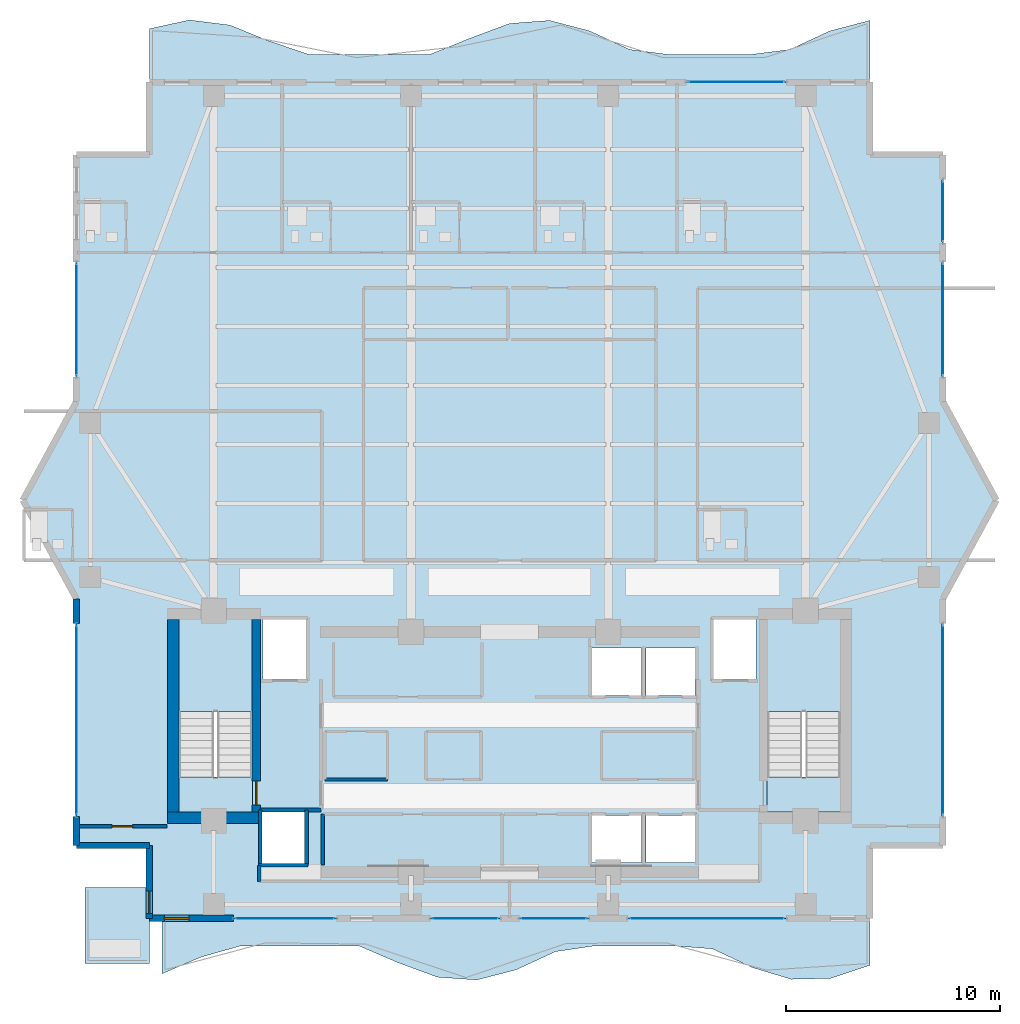
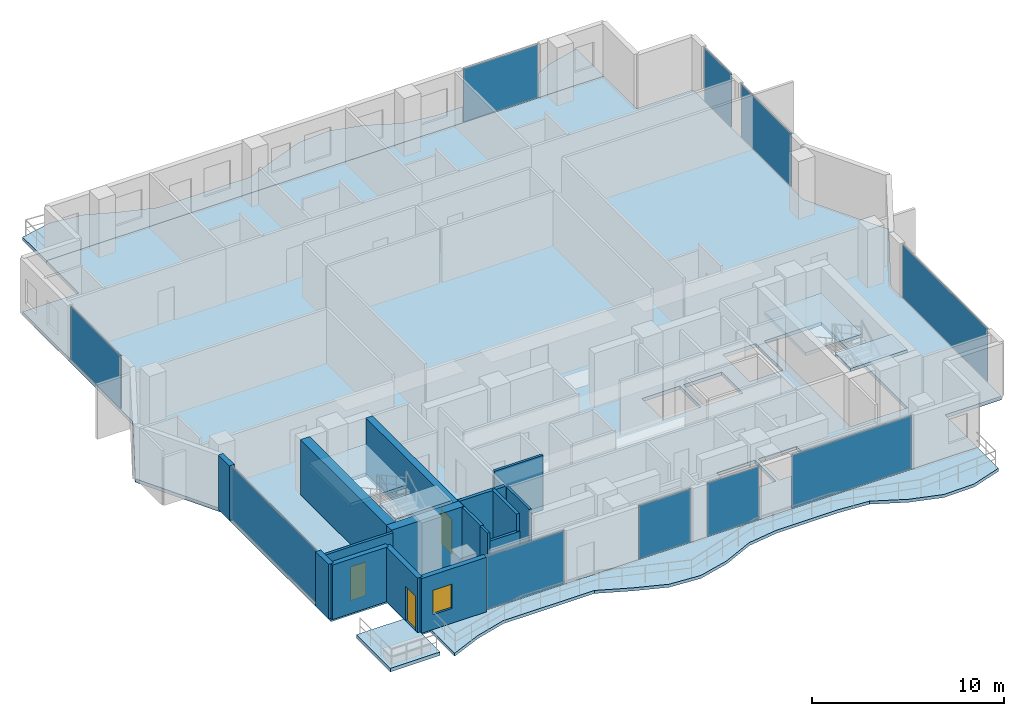
# One storey, part 17 of 25: 16 walls, 10 plates, 8 slabs, 3 doors, 1 window, 4 openings, 12 elements without a shape of their own.
"""IFC4 building model written with IfcOpenShell, lengths in metres."""

from ifc_helpers import new_model, si_unit, direction, frame, frame_2d, origin, origin_2d, place, context, subcontext, project, spatial, polyline, rectangle, outline, extrude, material, layer, layer_set, type_object, element, fill, aggregate, save


model = new_model("IFC4")

# Units and contexts
model_context = context("Model", 3, precision=1e-05, world=origin(), true_north=direction((0.0, 1.0)))
body_context = subcontext(model_context, "Body", "Model", "MODEL_VIEW")
ifc_project = project(units=[si_unit("LENGTHUNIT", "METRE"), si_unit("AREAUNIT", "SQUARE_METRE"), si_unit("VOLUMEUNIT", "CUBIC_METRE"), si_unit("PLANEANGLEUNIT", "RADIAN"), si_unit("MASSUNIT", "GRAM", prefix="KILO")], contexts=[model_context])

# Site, building, storey
site_placement = place(None, origin())
site = spatial("IfcSite", under=ifc_project, at=site_placement, CompositionType="ELEMENT")
building_placement = place(site_placement, origin())
building = spatial("IfcBuilding", under=site, at=building_placement, Name="Zuhayl Quay Hotel", CompositionType="ELEMENT")
storey_placement = place(building_placement, frame((0.0, 0.0, 243.35009765625)))
storey = spatial("IfcBuildingStorey", under=building, at=storey_placement, Name="L61", CompositionType="ELEMENT", Elevation=243.35009765625)

# Curtain wall, plate
ifc_material_1 = material(Name="Anodised Aluminium 6063-T6", Category="aluminium")
ifc_layer_1 = layer(ifc_material_1, 0.169921875, Name="Anodised Aluminium 6063-T6", Category="aluminium")
ifc_layer_set_1 = layer_set([ifc_layer_1], Name="Anodised Aluminium 6063-T6")
curtain_wall_type = type_object("IfcCurtainWallType", Name="CW_SYS_Z4", PredefinedType="USERDEFINED", material=ifc_layer_set_1)
curtain_wall_1_placement = place(storey_placement, origin())
curtain_wall_1 = element("IfcCurtainWall", 1, at=curtain_wall_1_placement, inside=storey, type_object=curtain_wall_type, Name="L61 Curtain Wall ENV_L61_E02_CW1", ObjectType="UNITISED CURTAIN WALL", PredefinedType="USERDEFINED")
ifc_material_2 = material(Name="Dark Ceramic-Fritted Solar Glass", Category="glass")
ifc_layer_2 = layer(ifc_material_2, 0.035888671875, Name="Dark Ceramic-Fritted Solar Glass", Category="glass")
ifc_layer_set_2 = layer_set([ifc_layer_2], Name="Dark Ceramic-Fritted Solar Glass")
plate_type = type_object("IfcPlateType", Name="PN_DARK_FRIT_Z1", PredefinedType="CURTAIN_PANEL", material=ifc_layer_set_2)
plate_1_placement = place(storey_placement, frame((-20.199951171875, 9.25, 0.054931640625), z_axis=(0.0, 0.0, 1.0), x_axis=(0.0, 1.0, 0.0)))
plate_1 = element("IfcPlate", 2, at=plate_1_placement, type_object=plate_type, Name="CW-Z4 panel 1.1", PredefinedType="CURTAIN_PANEL", context=body_context, shape_type="SweptSolid", body=[
    extrude(rectangle(XDim=8.8701171875, YDim=0.035888671875, at=origin_2d()), origin(), (0.0, 0.0, 1.0), 3.3701171875),
])
aggregate(curtain_wall_1, [plate_1])

curtain_wall_2_placement = place(storey_placement, origin())
curtain_wall_2 = element("IfcCurtainWall", 3, at=curtain_wall_2_placement, inside=storey, type_object=curtain_wall_type, Name="L61 Curtain Wall ENV_L61_E05_CW1", ObjectType="UNITISED CURTAIN WALL", PredefinedType="USERDEFINED")
plate_2_placement = place(storey_placement, frame((-20.199951171875, 27.925048828125, 0.054931640625), z_axis=(0.0, 0.0, 1.0), x_axis=(0.0, 1.0, 0.0)))
plate_2 = element("IfcPlate", 4, at=plate_2_placement, type_object=plate_type, Name="CW-Z4 panel 1.1", PredefinedType="CURTAIN_PANEL", context=body_context, shape_type="SweptSolid", body=[
    extrude(rectangle(XDim=5.219970703125, YDim=0.035888671875, at=origin_2d()), origin(), (0.0, 0.0, 1.0), 3.3701171875),
])
aggregate(curtain_wall_2, [plate_2])

curtain_wall_3_placement = place(storey_placement, origin())
curtain_wall_3 = element("IfcCurtainWall", 5, at=curtain_wall_3_placement, inside=storey, type_object=curtain_wall_type, Name="L61 Curtain Wall ENV_L61_N_CW1", ObjectType="UNITISED CURTAIN WALL", PredefinedType="USERDEFINED")
plate_3_placement = place(storey_placement, frame((10.56494140625, 39.0, 0.054931640625), z_axis=(0.0, 0.0, 1.0), x_axis=(1.0, 0.0, 0.0)))
plate_3 = element("IfcPlate", 6, at=plate_3_placement, type_object=plate_type, Name="CW-Z4 panel 1.1", PredefinedType="CURTAIN_PANEL", context=body_context, shape_type="SweptSolid", body=[
    extrude(rectangle(XDim=4.5, YDim=0.035888671875, at=origin_2d()), origin(), (0.0, 0.0, 1.0), 3.3701171875),
])
aggregate(curtain_wall_3, [plate_3])

curtain_wall_4_placement = place(storey_placement, origin())
curtain_wall_4 = element("IfcCurtainWall", 7, at=curtain_wall_4_placement, inside=storey, type_object=curtain_wall_type, Name="L61 Curtain Wall ENV_L61_E11_CW1", ObjectType="UNITISED CURTAIN WALL", PredefinedType="USERDEFINED")
plate_4_placement = place(storey_placement, frame((20.199951171875, 32.97509765625, 0.054931640625), z_axis=(0.0, 0.0, 1.0), x_axis=(0.0, -1.0, 0.0)))
plate_4 = element("IfcPlate", 8, at=plate_4_placement, type_object=plate_type, Name="CW-Z4 panel 1.1", PredefinedType="CURTAIN_PANEL", context=body_context, shape_type="SweptSolid", body=[
    extrude(rectangle(XDim=2.820068359375, YDim=0.035888671875, at=origin_2d()), origin(), (0.0, 0.0, 1.0), 3.3701171875),
])
aggregate(curtain_wall_4, [plate_4])

curtain_wall_5_placement = place(storey_placement, origin())
curtain_wall_5 = element("IfcCurtainWall", 9, at=curtain_wall_5_placement, inside=storey, type_object=curtain_wall_type, Name="L61 Curtain Wall ENV_L61_E11_CW2", ObjectType="UNITISED CURTAIN WALL", PredefinedType="USERDEFINED")
plate_5_placement = place(storey_placement, frame((20.199951171875, 27.925048828125, 0.054931640625), z_axis=(0.0, 0.0, 1.0), x_axis=(0.0, -1.0, 0.0)))
plate_5 = element("IfcPlate", 10, at=plate_5_placement, type_object=plate_type, Name="CW-Z4 panel 1.1", PredefinedType="CURTAIN_PANEL", context=body_context, shape_type="SweptSolid", body=[
    extrude(rectangle(XDim=5.219970703125, YDim=0.035888671875, at=origin_2d()), origin(), (0.0, 0.0, 1.0), 3.3701171875),
])
aggregate(curtain_wall_5, [plate_5])

curtain_wall_6_placement = place(storey_placement, origin())
curtain_wall_6 = element("IfcCurtainWall", 11, at=curtain_wall_6_placement, inside=storey, type_object=curtain_wall_type, Name="L61 Curtain Wall ENV_L61_E14_CW1", ObjectType="UNITISED CURTAIN WALL", PredefinedType="USERDEFINED")
plate_6_placement = place(storey_placement, frame((20.199951171875, 9.25, 0.054931640625), z_axis=(0.0, 0.0, 1.0), x_axis=(0.0, -1.0, 0.0)))
plate_6 = element("IfcPlate", 12, at=plate_6_placement, type_object=plate_type, Name="CW-Z4 panel 1.1", PredefinedType="CURTAIN_PANEL", context=body_context, shape_type="SweptSolid", body=[
    extrude(rectangle(XDim=8.8701171875, YDim=0.035888671875, at=origin_2d()), origin(), (0.0, 0.0, 1.0), 3.3701171875),
])
aggregate(curtain_wall_6, [plate_6])

curtain_wall_7_placement = place(storey_placement, origin())
curtain_wall_7 = element("IfcCurtainWall", 13, at=curtain_wall_7_placement, inside=storey, type_object=curtain_wall_type, Name="L61 Curtain Wall ENV_L61_S_CW1", ObjectType="UNITISED CURTAIN WALL", PredefinedType="USERDEFINED")
plate_7_placement = place(storey_placement, frame((9.199951171875, 0.0, 0.054931640625), z_axis=(0.0, 0.0, 1.0), x_axis=(-1.0, 0.0, 0.0)))
plate_7 = element("IfcPlate", 14, at=plate_7_placement, type_object=plate_type, Name="CW-Z4 panel 1.1", PredefinedType="CURTAIN_PANEL", context=body_context, shape_type="SweptSolid", body=[
    extrude(rectangle(XDim=7.22998046875, YDim=0.035888671875, at=origin_2d()), origin(), (0.0, 0.0, 1.0), 3.3701171875),
])
aggregate(curtain_wall_7, [plate_7])

curtain_wall_8_placement = place(storey_placement, origin())
curtain_wall_8 = element("IfcCurtainWall", 15, at=curtain_wall_8_placement, inside=storey, type_object=curtain_wall_type, Name="L61 Curtain Wall ENV_L61_S_CW2", ObjectType="UNITISED CURTAIN WALL", PredefinedType="USERDEFINED")
plate_8_placement = place(storey_placement, frame((2.06494140625, 0.0, 0.054931640625), z_axis=(0.0, 0.0, 1.0), x_axis=(-1.0, 0.0, 0.0)))
plate_8 = element("IfcPlate", 16, at=plate_8_placement, type_object=plate_type, Name="CW-Z4 panel 1.1", PredefinedType="CURTAIN_PANEL", context=body_context, shape_type="SweptSolid", body=[
    extrude(rectangle(XDim=3.10009765625, YDim=0.035888671875, at=origin_2d()), origin(), (0.0, 0.0, 1.0), 3.3701171875),
])
aggregate(curtain_wall_8, [plate_8])

curtain_wall_9_placement = place(storey_placement, origin())
curtain_wall_9 = element("IfcCurtainWall", 17, at=curtain_wall_9_placement, inside=storey, type_object=curtain_wall_type, Name="L61 Curtain Wall ENV_L61_S_CW3", ObjectType="UNITISED CURTAIN WALL", PredefinedType="USERDEFINED")
plate_9_placement = place(storey_placement, frame((-2.06494140625, 0.0, 0.054931640625), z_axis=(0.0, 0.0, 1.0), x_axis=(-1.0, 0.0, 0.0)))
plate_9 = element("IfcPlate", 18, at=plate_9_placement, type_object=plate_type, Name="CW-Z4 panel 1.1", PredefinedType="CURTAIN_PANEL", context=body_context, shape_type="SweptSolid", body=[
    extrude(rectangle(XDim=3.10009765625, YDim=0.035888671875, at=origin_2d()), origin(), (0.0, 0.0, 1.0), 3.3701171875),
])
aggregate(curtain_wall_9, [plate_9])

curtain_wall_10_placement = place(storey_placement, origin())
curtain_wall_10 = element("IfcCurtainWall", 19, at=curtain_wall_10_placement, inside=storey, type_object=curtain_wall_type, Name="L61 Curtain Wall ENV_L61_S_CW4", ObjectType="UNITISED CURTAIN WALL", PredefinedType="USERDEFINED")
plate_10_placement = place(storey_placement, frame((-10.4775390625, 0.0, 0.054931640625), z_axis=(0.0, 0.0, 1.0), x_axis=(-1.0, 0.0, 0.0)))
plate_10 = element("IfcPlate", 20, at=plate_10_placement, type_object=plate_type, Name="CW-Z4 panel 1.1", PredefinedType="CURTAIN_PANEL", context=body_context, shape_type="SweptSolid", body=[
    extrude(rectangle(XDim=4.675048828125, YDim=0.035888671875, at=origin_2d()), origin(), (0.0, 0.0, 1.0), 3.3701171875),
])
aggregate(curtain_wall_10, [plate_10])

# Slabs
ifc_material_3 = material(Name="Concrete C45/55", Category="concrete")
ifc_layer_3 = layer(ifc_material_3, 0.195068359375, Name="Concrete C45/55", Category="concrete")
ifc_layer_set_3 = layer_set([ifc_layer_3], Name="Concrete C45/55")
slab_type_1 = type_object("IfcSlabType", Name="SL_BALCONY_195", PredefinedType="FLOOR", material=ifc_layer_set_3)
slab_1_placement = place(storey_placement, frame((0.0, 0.0, -0.195068359375)))
element("IfcSlab", 21, at=slab_1_placement, inside=storey, type_object=slab_type_1, Name="L61 Exterior Rippling Balcony Slab North", PredefinedType="FLOOR", context=body_context, shape_type="SweptSolid", body=[
    extrude(outline(polyline([(-16.800048828125, 39.0), (16.800048828125, 39.0), (16.800048828125, 41.872802734375), (14.933349609375, 41.384765625), (13.066650390625, 40.519287109375), (11.199951171875, 40.280029296875), (9.333251953125, 40.280029296875), (7.466796875, 40.280029296875), (5.60009765625, 40.519287109375), (3.7333984375, 41.384765625), (1.86669921875, 41.872802734375), (0.0, 41.732421875), (-1.86669921875, 41.036376953125), (-3.7333984375, 40.280029296875), (-5.60009765625, 40.280029296875), (-7.466796875, 40.280029296875), (-9.333251953125, 40.280029296875), (-11.199951171875, 40.909912109375), (-13.066650390625, 41.661376953125), (-14.933349609375, 41.893310546875), (-16.800048828125, 41.486328125), (-16.800048828125, 39.0)])), origin(), (0.0, 0.0, 1.0), 0.195068359375),
])
slab_2_placement = place(storey_placement, frame((0.0, 0.0, -0.195068359375)))
element("IfcSlab", 22, at=slab_2_placement, inside=storey, type_object=slab_type_1, Name="L61 Exterior Rippling Balcony Slab South", PredefinedType="FLOOR", context=body_context, shape_type="SweptSolid", body=[
    extrude(outline(polyline([(-16.199951171875, -2.578857421875), (-14.36669921875, -1.796875), (-12.533203125, -1.280029296875), (-10.699951171875, -1.280029296875), (-8.86669921875, -1.280029296875), (-7.033203125, -1.280029296875), (-5.199951171875, -2.0673828125), (-3.36669921875, -2.740478515625), (-1.533203125, -2.872802734375), (0.300048828125, -2.39794921875), (2.13330078125, -1.552001953125), (3.966796875, -1.280029296875), (5.800048828125, -1.280029296875), (7.63330078125, -1.280029296875), (9.466796875, -1.422119140625), (11.300048828125, -2.2890625), (13.13330078125, -2.8388671875), (14.966796875, -2.798583984375), (16.800048828125, -2.18798828125), (16.800048828125, 0.0), (-16.199951171875, 0.0), (-16.199951171875, -2.578857421875)])), origin(), (0.0, 0.0, 1.0), 0.195068359375),
])
ifc_layer_4 = layer(ifc_material_3, 0.219970703125, Name="Concrete C45/55", Category="concrete")
ifc_layer_set_4 = layer_set([ifc_layer_4], Name="Concrete C45/55")
slab_type_2 = type_object("IfcSlabType", Name="SL_FLOOR_220", PredefinedType="FLOOR", material=ifc_layer_set_4)
slab_3_placement = place(storey_placement, frame((0.0, 0.0, -0.22021484375)))
element("IfcSlab", 23, at=slab_3_placement, inside=storey, type_object=slab_type_2, Name="L61 Structural Floor Slab", PredefinedType="FLOOR", context=body_context, shape_type="SweptSolid", body=[
    extrude(outline(polyline([(-16.800048828125, 0.0), (16.800048828125, 0.0), (16.800048828125, 3.39990234375), (20.199951171875, 3.39990234375), (20.199951171875, 14.89990234375), (22.699951171875, 19.5), (20.199951171875, 24.10009765625), (20.199951171875, 35.60009765625), (16.800048828125, 35.60009765625), (16.800048828125, 39.0), (-16.800048828125, 39.0), (-16.800048828125, 35.60009765625), (-20.199951171875, 35.60009765625), (-20.199951171875, 24.10009765625), (-22.699951171875, 19.5), (-20.199951171875, 14.89990234375), (-20.199951171875, 3.39990234375), (-16.800048828125, 3.39990234375), (-16.800048828125, 0.0)]), holes=[polyline([(-12.0, 4.949951171875), (-12.0, 13.949951171875), (-15.429931640625, 13.949951171875), (-15.429931640625, 4.949951171875), (-12.0, 4.949951171875)]), polyline([(15.429931640625, 4.949951171875), (15.429931640625, 13.949951171875), (12.0, 13.949951171875), (12.0, 4.949951171875), (15.429931640625, 4.949951171875)]), polyline([(-11.5, 11.14990234375), (-9.5, 11.14990234375), (-9.5, 13.949951171875), (-11.5, 13.949951171875), (-11.5, 11.14990234375)]), polyline([(9.5, 11.14990234375), (11.5, 11.14990234375), (11.5, 13.949951171875), (9.5, 13.949951171875), (9.5, 11.14990234375)]), polyline([(3.85009765625, 2.60009765625), (6.14990234375, 2.60009765625), (6.14990234375, 4.800048828125), (3.85009765625, 4.800048828125), (3.85009765625, 2.60009765625)]), polyline([(6.35009765625, 2.60009765625), (8.64990234375, 2.60009765625), (8.64990234375, 4.800048828125), (6.35009765625, 4.800048828125), (6.35009765625, 2.60009765625)]), polyline([(3.85009765625, 10.39990234375), (6.14990234375, 10.39990234375), (6.14990234375, 12.60009765625), (3.85009765625, 12.60009765625), (3.85009765625, 10.39990234375)]), polyline([(6.35009765625, 10.39990234375), (8.64990234375, 10.39990234375), (8.64990234375, 12.60009765625), (6.35009765625, 12.60009765625), (6.35009765625, 10.39990234375)]), polyline([(-11.550048828125, 2.550048828125), (-9.550048828125, 2.550048828125), (-9.550048828125, 4.949951171875), (-11.550048828125, 4.949951171875), (-11.550048828125, 2.550048828125)])]), origin(), (0.0, 0.0, 1.0), 0.22021484375),
])

# Stair, slabs
stair_type = type_object("IfcStairType", Name="ST_DOGLEG_TOWER", PredefinedType="HALF_TURN_STAIR", material=ifc_material_3)
stair_1_placement = place(storey_placement, origin())
stair_1 = element("IfcStair", 24, at=stair_1_placement, inside=storey, type_object=stair_type, Name="L61 Smokeproof Exit Stair ST1", PredefinedType="HALF_TURN_STAIR")
ifc_layer_5 = layer(ifc_material_3, 0.199951171875, Name="Concrete C45/55", Category="concrete")
ifc_layer_set_5 = layer_set([ifc_layer_5], Name="Concrete C45/55")
slab_type_3 = type_object("IfcSlabType", Name="SL_STAIR_LANDING_200", PredefinedType="LANDING", material=ifc_layer_set_5)
slab_4_placement = place(storey_placement, frame((0.0, 0.0, 1.64990234375)))
slab_4 = element("IfcSlab", 25, at=slab_4_placement, type_object=slab_type_3, Name="ST1 landing 1", PredefinedType="LANDING", context=body_context, shape_type="SweptSolid", body=[
    extrude(outline(polyline([(-12.0, 9.64990234375), (-12.0, 13.949951171875), (-15.429931640625, 13.949951171875), (-15.429931640625, 9.64990234375), (-12.0, 9.64990234375)])), origin(), (0.0, 0.0, 1.0), 0.199951171875),
])
slab_5_placement = place(storey_placement, frame((0.0, 0.0, 3.5)))
slab_5 = element("IfcSlab", 26, at=slab_5_placement, type_object=slab_type_3, Name="ST1 landing 2", PredefinedType="LANDING", context=body_context, shape_type="SweptSolid", body=[
    extrude(outline(polyline([(-12.0, 4.949951171875), (-12.0, 6.590087890625), (-15.429931640625, 6.590087890625), (-15.429931640625, 4.949951171875), (-12.0, 4.949951171875)])), origin(), (0.0, 0.0, 1.0), 0.199951171875),
])
aggregate(stair_1, [slab_4, slab_5])

stair_2_placement = place(storey_placement, origin())
stair_2 = element("IfcStair", 27, at=stair_2_placement, inside=storey, type_object=stair_type, Name="L61 Smokeproof Exit Stair ST2", PredefinedType="HALF_TURN_STAIR")
slab_6_placement = place(storey_placement, frame((0.0, 0.0, 1.64990234375)))
slab_6 = element("IfcSlab", 28, at=slab_6_placement, type_object=slab_type_3, Name="ST2 landing 1", PredefinedType="LANDING", context=body_context, shape_type="SweptSolid", body=[
    extrude(outline(polyline([(15.429931640625, 9.64990234375), (15.429931640625, 13.949951171875), (12.0, 13.949951171875), (12.0, 9.64990234375), (15.429931640625, 9.64990234375)])), origin(), (0.0, 0.0, 1.0), 0.199951171875),
])
slab_7_placement = place(storey_placement, frame((0.0, 0.0, 3.5)))
slab_7 = element("IfcSlab", 29, at=slab_7_placement, type_object=slab_type_3, Name="ST2 landing 2", PredefinedType="LANDING", context=body_context, shape_type="SweptSolid", body=[
    extrude(outline(polyline([(15.429931640625, 4.949951171875), (15.429931640625, 6.590087890625), (12.0, 6.590087890625), (12.0, 4.949951171875), (15.429931640625, 4.949951171875)])), origin(), (0.0, 0.0, 1.0), 0.199951171875),
])
aggregate(stair_2, [slab_6, slab_7])

# Slab
ifc_layer_6 = layer(ifc_material_3, 0.219970703125, Name="Concrete C45/55", Category="concrete")
ifc_layer_set_6 = layer_set([ifc_layer_6], Name="Concrete C45/55")
slab_type_4 = type_object("IfcSlabType", Name="SL_TERRACE_235", PredefinedType="FLOOR", material=ifc_layer_set_6)
slab_8_placement = place(storey_placement, frame((0.0, 0.0, -0.22021484375)))
element("IfcSlab", 30, at=slab_8_placement, inside=storey, type_object=slab_type_4, Name="L61 Exterior Sky-Terrace Slab L61_SPIRAL_SW", PredefinedType="FLOOR", context=body_context, shape_type="SweptSolid", body=[
    extrude(outline(polyline([(-19.800048828125, -2.10009765625), (-16.800048828125, -2.10009765625), (-16.800048828125, 1.449951171875), (-19.800048828125, 1.449951171875), (-19.800048828125, -2.10009765625)])), origin(), (0.0, 0.0, 1.0), 0.22021484375),
])

# Walls
ifc_material_4 = material(Name="Concrete C50/60", Category="concrete")
ifc_layer_7 = layer(ifc_material_4, 0.550048828125, Name="Concrete C50/60", Category="concrete")
ifc_layer_set_7 = layer_set([ifc_layer_7], Name="Concrete C50/60")
wall_type_1 = type_object("IfcWallType", Name="WL_CORE_550", PredefinedType="SHEAR", material=ifc_layer_set_7)
wall_1_placement = place(storey_placement, frame((-15.68505859375, 4.969970703125, 0.0), z_axis=(0.0, 0.0, 1.0), x_axis=(0.0, 1.0, 0.0)))
element("IfcWall", 31, at=wall_1_placement, inside=storey, type_object=wall_type_1, Name="L61 Core Shear Wall CW_W", PredefinedType="SHEAR", context=body_context, shape_type="SweptSolid", body=[
    extrude(rectangle(XDim=8.9599609375, YDim=0.550048828125, at=frame_2d((4.47998046875, 0.0))), origin(), (0.0, 0.0, 1.0), 3.510009765625),
])
wall_2_placement = place(storey_placement, frame((-15.9599609375, 4.695068359375, 0.0), z_axis=(0.0, 0.0, 1.0), x_axis=(1.0, 0.0, 0.0)))
element("IfcWall", 32, at=wall_2_placement, inside=storey, type_object=wall_type_1, Name="L61 Core Shear Wall CW_SW", PredefinedType="SHEAR", context=body_context, shape_type="SweptSolid", body=[
    extrude(rectangle(XDim=4.35986328125, YDim=0.550048828125, at=frame_2d((2.179931640625, 0.0))), origin(), (0.0, 0.0, 1.0), 3.510009765625),
])
ifc_material_5 = material(Name="Precast concrete C45/55", Category="concrete")
ifc_layer_8 = layer(ifc_material_5, 0.300048828125, Name="Precast concrete C45/55", Category="concrete")
ifc_layer_set_8 = layer_set([ifc_layer_8], Name="Precast concrete C45/55")
wall_type_2 = type_object("IfcWallType", Name="WL_EXT_300", PredefinedType="STANDARD", material=ifc_layer_set_8)
wall_3_placement = place(storey_placement, frame((-16.800048828125, 3.39990234375, 0.0), z_axis=(0.0, 0.0, 1.0), x_axis=(-1.0, 0.0, 0.0)))
element("IfcWall", 33, at=wall_3_placement, inside=storey, type_object=wall_type_2, Name="L61 Exterior Precast Wall ENV_L61_EW01", PredefinedType="STANDARD", context=body_context, shape_type="SweptSolid", body=[
    extrude(rectangle(XDim=3.39990234375, YDim=0.300048828125, at=frame_2d((1.699951171875, 0.0))), origin(), (0.0, 0.0, 1.0), 3.47998046875),
])
wall_4_placement = place(storey_placement, frame((-20.199951171875, 3.39990234375, 0.0), z_axis=(0.0, 0.0, 1.0), x_axis=(0.0, 1.0, 0.0)))
element("IfcWall", 34, at=wall_4_placement, inside=storey, type_object=wall_type_2, Name="L61 Exterior Precast Wall ENV_L61_E02_EW1", PredefinedType="STANDARD", context=body_context, shape_type="SweptSolid", body=[
    extrude(rectangle(XDim=1.35009765625, YDim=0.300048828125, at=frame_2d((0.675048828125, 0.0))), origin(), (0.0, 0.0, 1.0), 3.47998046875),
])
wall_5_placement = place(storey_placement, frame((-20.199951171875, 13.75, 0.0), z_axis=(0.0, 0.0, 1.0), x_axis=(0.0, 1.0, 0.0)))
element("IfcWall", 35, at=wall_5_placement, inside=storey, type_object=wall_type_2, Name="L61 Exterior Precast Wall ENV_L61_E02_EW2", PredefinedType="STANDARD", context=body_context, shape_type="SweptSolid", body=[
    extrude(rectangle(XDim=1.14990234375, YDim=0.300048828125, at=frame_2d((0.574951171875, 0.0))), origin(), (0.0, 0.0, 1.0), 3.47998046875),
])

# Wall, opening, window
wall_6_placement = place(storey_placement, frame((-12.8798828125, 0.0, 0.0), z_axis=(0.0, 0.0, 1.0), x_axis=(-1.0, 0.0, 0.0)))
wall_6 = element("IfcWall", 36, at=wall_6_placement, inside=storey, type_object=wall_type_2, Name="L61 Exterior Precast Wall ENV_L61_S_EW5", PredefinedType="STANDARD", context=body_context, shape_type="SweptSolid", body=[
    extrude(rectangle(XDim=3.920166015625, YDim=0.300048828125, at=frame_2d((1.9599609375, 0.0))), origin(), (0.0, 0.0, 1.0), 3.47998046875),
])
opening_1_placement = place(wall_6_placement, frame((2.074951171875, 0.0, 0.949951171875)))
opening_1 = element("IfcOpeningElement", 37, at=opening_1_placement, cuts=wall_6, Name="Opening W01N", PredefinedType="OPENING", context=body_context, shape_type="SweptSolid", body=[
    extrude(rectangle(XDim=1.14990234375, YDim=1.550048828125, at=frame_2d((0.574951171875, 0.77490234375))), frame((0.0, 0.159912109375, 0.0), z_axis=(0.0, -1.0, 0.0), x_axis=(1.0, 0.0, 0.0)), (0.0, 0.0, 1.0), 0.320068359375),
])
window_type = type_object("IfcWindowType", Name="WN_NOTCH_1350", PartitioningType="SINGLE_PANEL", PredefinedType="WINDOW", material=ifc_material_2)
window_placement = place(opening_1_placement, origin())
window = element("IfcWindow", 38, at=window_placement, inside=storey, type_object=window_type, Name="L61 Operable Facade Window 5-1", OverallHeight=1.550048828125, OverallWidth=1.14990234375, PartitioningType="SINGLE_PANEL", PredefinedType="WINDOW", context=body_context, shape_type="SweptSolid", body=[
    extrude(rectangle(XDim=1.14990234375, YDim=1.550048828125, at=frame_2d((0.574951171875, 0.77490234375))), frame((0.0, 0.030029296875, 0.0), z_axis=(0.0, -1.0, 0.0), x_axis=(1.0, 0.0, 0.0)), (0.0, 0.0, 1.0), 0.06005859375),
])
fill(opening_1, window)

# Wall, opening, door
wall_7_placement = place(storey_placement, frame((-16.800048828125, 0.0, 0.0), z_axis=(0.0, 0.0, 1.0), x_axis=(0.0, 1.0, 0.0)))
wall_7 = element("IfcWall", 39, at=wall_7_placement, inside=storey, type_object=wall_type_2, Name="L61 Exterior Precast Wall ENV_L61_SP_SW", PredefinedType="STANDARD", context=body_context, shape_type="SweptSolid", body=[
    extrude(rectangle(XDim=3.39990234375, YDim=0.300048828125, at=frame_2d((1.699951171875, 0.0))), origin(), (0.0, 0.0, 1.0), 3.47998046875),
])
opening_2_placement = place(wall_7_placement, frame((0.219970703125, 0.0, 0.0)))
opening_2 = element("IfcOpeningElement", 40, at=opening_2_placement, cuts=wall_7, Name="Opening DG1", PredefinedType="OPENING", context=body_context, shape_type="SweptSolid", body=[
    extrude(rectangle(XDim=1.050048828125, YDim=2.199951171875, at=frame_2d((0.52490234375, 1.10009765625))), frame((0.0, 0.159912109375, 0.0), z_axis=(0.0, -1.0, 0.0), x_axis=(1.0, 0.0, 0.0)), (0.0, 0.0, 1.0), 0.320068359375),
])
ifc_material_6 = material(Name="Anodised Aluminium and Dark Solar Glass", Category="aluminium")
door_type_1 = type_object("IfcDoorType", Name="DR_EXT_TERR_1050", OperationType="NOTDEFINED", PredefinedType="DOOR", material=ifc_material_6)
door_1_placement = place(opening_2_placement, origin())
door_1 = element("IfcDoor", 41, at=door_1_placement, inside=storey, type_object=door_type_1, Name="L61 Spiral Sky-Terrace SW Access Door", OperationType="SINGLE_SWING_LEFT", OverallHeight=2.199951171875, OverallWidth=1.050048828125, PredefinedType="DOOR", context=body_context, shape_type="SweptSolid", body=[
    extrude(rectangle(XDim=1.050048828125, YDim=2.199951171875, at=frame_2d((0.52490234375, 1.10009765625))), frame((0.0, 0.02490234375, 0.0), z_axis=(0.0, -1.0, 0.0), x_axis=(1.0, 0.0, 0.0)), (0.0, 0.0, 1.0), 0.050048828125),
])
fill(opening_2, door_1)

# Walls
ifc_material_7 = material(Name="Acoustic Gypsum Partition STC-58")
ifc_layer_9 = layer(ifc_material_7, 0.14990234375, Name="Acoustic Gypsum Partition STC-58")
ifc_layer_set_9 = layer_set([ifc_layer_9], Name="Acoustic Gypsum Partition STC-58")
wall_type_3 = type_object("IfcWallType", Name="WL_PART_150", PredefinedType="PARTITIONING", material=ifc_layer_set_9)
wall_8_placement = place(storey_placement, frame((-8.7099609375, 2.489990234375, 0.0), z_axis=(0.0, 0.0, 1.0), x_axis=(0.0, 1.0, 0.0)))
element("IfcWall", 42, at=wall_8_placement, inside=storey, type_object=wall_type_3, Name="L61 Partition IW_L61_FMP_SW_W", PredefinedType="PARTITIONING", context=body_context, shape_type="SweptSolid", body=[
    extrude(rectangle(XDim=2.3701171875, YDim=0.14990234375, at=frame_2d((1.18505859375, 0.0))), origin(), (0.0, 0.0, 1.0), 3.47998046875),
])
wall_9_placement = place(storey_placement, frame((-8.610107421875, 6.47998046875, 0.0), z_axis=(0.0, 0.0, 1.0), x_axis=(1.0, 0.0, 0.0)))
element("IfcWall", 43, at=wall_9_placement, inside=storey, type_object=wall_type_3, Name="L61 Partition IW_L61_CORE_HK_S", PredefinedType="PARTITIONING", context=body_context, shape_type="SweptSolid", body=[
    extrude(rectangle(XDim=2.920166015625, YDim=0.14990234375, at=frame_2d((1.4599609375, 0.0))), origin(), (0.0, 0.0, 1.0), 3.47998046875),
])
wall_10_placement = place(storey_placement, frame((-11.679931640625, 1.719970703125, 0.0), z_axis=(0.0, 0.0, 1.0), x_axis=(0.0, 1.0, 0.0)))
element("IfcWall", 44, at=wall_10_placement, inside=storey, type_object=wall_type_3, Name="L61 Partition IW_L61_Z4_SUN_SW_IN", PredefinedType="PARTITIONING", context=body_context, shape_type="SweptSolid", body=[
    extrude(rectangle(XDim=0.75, YDim=0.14990234375, at=frame_2d((0.375, 0.0))), origin(), (0.0, 0.0, 1.0), 3.47998046875),
])

# Wall, opening, door
ifc_layer_10 = layer(ifc_material_7, 0.159912109375, Name="Acoustic Gypsum Partition STC-58")
ifc_layer_set_10 = layer_set([ifc_layer_10], Name="Acoustic Gypsum Partition STC-58")
wall_type_4 = type_object("IfcWallType", Name="WL_PART_CORR_160", PredefinedType="PARTITIONING", material=ifc_layer_set_10)
wall_11_placement = place(storey_placement, frame((-20.139892578125, 4.300048828125, 0.0), z_axis=(0.0, 0.0, 1.0), x_axis=(1.0, 0.0, 0.0)))
wall_11 = element("IfcWall", 45, at=wall_11_placement, inside=storey, type_object=wall_type_4, Name="L61 Partition IW_L61_Z4_SUN_SW_N", PredefinedType="PARTITIONING", context=body_context, shape_type="SweptSolid", body=[
    extrude(rectangle(XDim=4.159912109375, YDim=0.159912109375, at=frame_2d((2.080078125, 0.0))), origin(), (0.0, 0.0, 1.0), 3.47998046875),
])
opening_3_placement = place(wall_11_placement, frame((1.60498046875, 0.0, 0.0)))
opening_3 = element("IfcOpeningElement", 46, at=opening_3_placement, cuts=wall_11, Name="Opening D03", PredefinedType="OPENING", context=body_context, shape_type="SweptSolid", body=[
    extrude(rectangle(XDim=0.949951171875, YDim=2.14990234375, at=frame_2d((0.47509765625, 1.074951171875))), frame((0.0, 0.08984375, 0.0), z_axis=(0.0, -1.0, 0.0), x_axis=(1.0, 0.0, 0.0)), (0.0, 0.0, 1.0), 0.179931640625),
])
ifc_material_8 = material(Name="Solid Walnut Acoustic Fire Door")
door_type_2 = type_object("IfcDoorType", Name="DR_SUITE_950", OperationType="NOTDEFINED", PredefinedType="DOOR", material=ifc_material_8)
door_2_placement = place(opening_3_placement, origin())
door_2 = element("IfcDoor", 47, at=door_2_placement, inside=storey, type_object=door_type_2, Name="L61 Sunset Salon SW Door", OperationType="SINGLE_SWING_RIGHT", OverallHeight=2.14990234375, OverallWidth=0.949951171875, PredefinedType="DOOR", context=body_context, shape_type="SweptSolid", body=[
    extrude(rectangle(XDim=0.949951171875, YDim=2.14990234375, at=frame_2d((0.47509765625, 1.074951171875))), frame((0.0, 0.02490234375, 0.0), z_axis=(0.0, -1.0, 0.0), x_axis=(1.0, 0.0, 0.0)), (0.0, 0.0, 1.0), 0.050048828125),
])
fill(opening_3, door_2)

# Walls
ifc_material_9 = material(Name="Gypsum Fireboard Assembly EI-90")
ifc_layer_11 = layer(ifc_material_9, 0.1650390625, Name="Gypsum Fireboard Assembly EI-90")
ifc_layer_set_11 = layer_set([ifc_layer_11], Name="Gypsum Fireboard Assembly EI-90")
wall_type_5 = type_object("IfcWallType", Name="WL_PART_SHAFT_160", PredefinedType="PARTITIONING", material=ifc_layer_set_11)
wall_12_placement = place(storey_placement, frame((-11.6298828125, 2.469970703125, 0.0), z_axis=(0.0, 0.0, 1.0), x_axis=(0.0, 1.0, 0.0)))
element("IfcWall", 48, at=wall_12_placement, inside=storey, type_object=wall_type_5, Name="L61 Partition IW_L61_RISER_W", PredefinedType="PARTITIONING", context=body_context, shape_type="SweptSolid", body=[
    extrude(rectangle(XDim=2.580078125, YDim=0.1650390625, at=frame_2d((1.2900390625, 0.0))), origin(), (0.0, 0.0, 1.0), 3.47998046875),
])
wall_13_placement = place(storey_placement, frame((-11.7099609375, 2.469970703125, 0.0), z_axis=(0.0, 0.0, 1.0), x_axis=(1.0, 0.0, 0.0)))
element("IfcWall", 49, at=wall_13_placement, inside=storey, type_object=wall_type_5, Name="L61 Partition IW_L61_RISER_S", PredefinedType="PARTITIONING", context=body_context, shape_type="SweptSolid", body=[
    extrude(rectangle(XDim=2.31005859375, YDim=0.1650390625, at=frame_2d((1.155029296875, 0.0))), origin(), (0.0, 0.0, 1.0), 2.3798828125),
])
ifc_layer_12 = layer(ifc_material_9, 0.179931640625, Name="Gypsum Fireboard Assembly EI-90")
ifc_layer_set_12 = layer_set([ifc_layer_12], Name="Gypsum Fireboard Assembly EI-90")
wall_type_6 = type_object("IfcWallType", Name="WL_PART_SHAFT_180", PredefinedType="PARTITIONING", material=ifc_layer_set_12)
wall_14_placement = place(storey_placement, frame((-9.469970703125, 2.449951171875, 0.0), z_axis=(0.0, 0.0, 1.0), x_axis=(0.0, 1.0, 0.0)))
element("IfcWall", 50, at=wall_14_placement, inside=storey, type_object=wall_type_6, Name="L61 Partition IW_L61_RISER_E", PredefinedType="PARTITIONING", context=body_context, shape_type="SweptSolid", body=[
    extrude(rectangle(XDim=2.60009765625, YDim=0.179931640625, at=frame_2d((1.300048828125, 0.0))), origin(), (0.0, 0.0, 1.0), 3.47998046875),
])
ifc_material_10 = material(Name="Gypsum Fireboard Assembly EI-120")
ifc_layer_13 = layer(ifc_material_10, 0.199951171875, Name="Gypsum Fireboard Assembly EI-120")
ifc_layer_set_13 = layer_set([ifc_layer_13], Name="Gypsum Fireboard Assembly EI-120")
wall_type_7 = type_object("IfcWallType", Name="WL_PART_SHAFT_200", PredefinedType="PARTITIONING", material=ifc_layer_set_13)
wall_15_placement = place(storey_placement, frame((-11.64990234375, 5.050048828125, 0.0), z_axis=(0.0, 0.0, 1.0), x_axis=(1.0, 0.0, 0.0)))
element("IfcWall", 51, at=wall_15_placement, inside=storey, type_object=wall_type_7, Name="L61 Partition IW_L61_FSAE_W_S", PredefinedType="PARTITIONING", context=body_context, shape_type="SweptSolid", body=[
    extrude(rectangle(XDim=2.849853515625, YDim=0.199951171875, at=frame_2d((1.4248046875, 0.0))), origin(), (0.0, 0.0, 1.0), 3.47998046875),
])

# Wall, opening, door
ifc_material_11 = material(Name="Concrete C60/75", Category="concrete")
ifc_layer_14 = layer(ifc_material_11, 0.39990234375, Name="Concrete C60/75", Category="concrete")
ifc_layer_set_14 = layer_set([ifc_layer_14], Name="Concrete C60/75")
wall_type_8 = type_object("IfcWallType", Name="WL_STAIR_400", PredefinedType="SHEAR", material=ifc_layer_set_14)
wall_16_placement = place(storey_placement, frame((-11.820068359375, 4.969970703125, 0.0), z_axis=(0.0, 0.0, 1.0), x_axis=(0.0, 1.0, 0.0)))
wall_16 = element("IfcWall", 52, at=wall_16_placement, inside=storey, type_object=wall_type_8, Name="L61 Core Shear Wall SW_ST1", PredefinedType="SHEAR", context=body_context, shape_type="SweptSolid", body=[
    extrude(rectangle(XDim=8.9599609375, YDim=0.39990234375, at=frame_2d((4.47998046875, 0.0))), origin(), (0.0, 0.0, 1.0), 3.510009765625),
])
opening_4_placement = place(wall_16_placement, frame((0.31005859375, 0.0, 0.0)))
opening_4 = element("IfcOpeningElement", 53, at=opening_4_placement, cuts=wall_16, Name="Opening D01", PredefinedType="OPENING", context=body_context, shape_type="SweptSolid", body=[
    extrude(rectangle(XDim=1.1201171875, YDim=2.219970703125, at=frame_2d((0.56005859375, 1.10986328125))), frame((0.0, 0.2099609375, 0.0), z_axis=(0.0, -1.0, 0.0), x_axis=(1.0, 0.0, 0.0)), (0.0, 0.0, 1.0), 0.419921875),
])
ifc_material_12 = material(Name="Steel ASTM A992 Grade 50", Category="steel")
door_type_3 = type_object("IfcDoorType", Name="DR_STAIR_90_1100", OperationType="NOTDEFINED", PredefinedType="DOOR", material=ifc_material_12)
door_3_placement = place(opening_4_placement, origin())
door_3 = element("IfcDoor", 54, at=door_3_placement, inside=storey, type_object=door_type_3, Name="L61 Smokeproof Exit Stair ST1 Door", OperationType="SINGLE_SWING_LEFT", OverallHeight=2.219970703125, OverallWidth=1.1201171875, PredefinedType="DOOR", context=body_context, shape_type="SweptSolid", body=[
    extrude(rectangle(XDim=1.1201171875, YDim=2.219970703125, at=frame_2d((0.56005859375, 1.10986328125))), frame((0.0, 0.02490234375, 0.0), z_axis=(0.0, -1.0, 0.0), x_axis=(1.0, 0.0, 0.0)), (0.0, 0.0, 1.0), 0.050048828125),
])
fill(opening_4, door_3)

save(model, "model.ifc")
